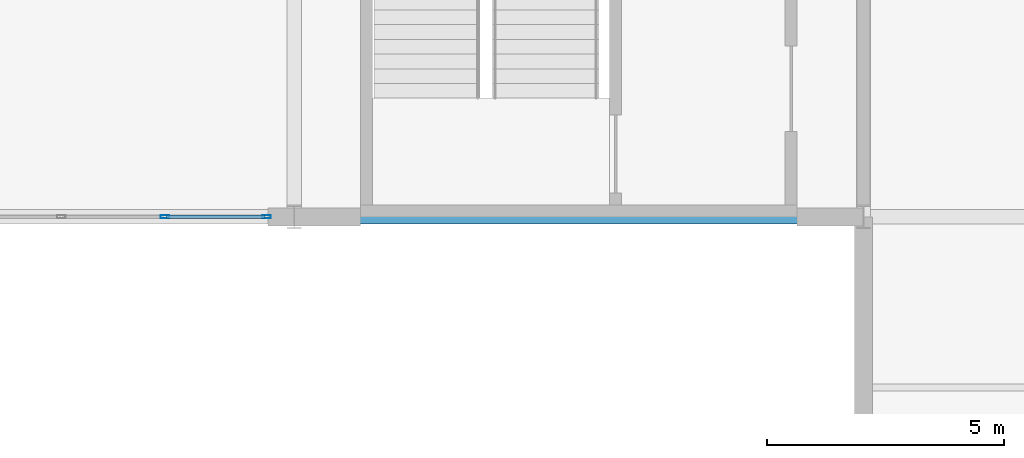
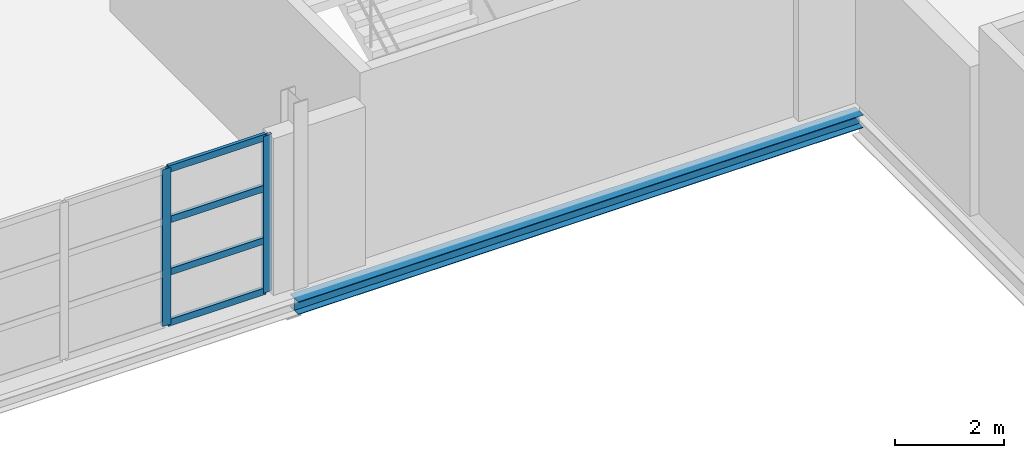
# One storey, part 37 of 158: 6 members, 1 beam, 1 element without a shape of its own.
"""IFC4 building model written with IfcOpenShell, lengths in metres."""

from ifc_helpers import new_model, si_unit, direction, frame, origin, origin_2d, place, context, subcontext, project, spatial, hollow_rectangle, i_section, extrude, material, layer, layer_set, material_profile, profile_set, type_object, element, aggregate, save


model = new_model("IFC4")

# Units and contexts
model_context = context("Model", 3, precision=1e-05, world=origin(), true_north=direction((0.0, 1.0)))
body_context = subcontext(model_context, "Body", "Model", "MODEL_VIEW")
ifc_project = project(units=[si_unit("LENGTHUNIT", "METRE"), si_unit("AREAUNIT", "SQUARE_METRE"), si_unit("VOLUMEUNIT", "CUBIC_METRE"), si_unit("PLANEANGLEUNIT", "RADIAN"), si_unit("MASSUNIT", "GRAM", prefix="KILO")], contexts=[model_context])

# Site, building, storey
site_placement = place(None, origin())
site = spatial("IfcSite", under=ifc_project, at=site_placement, CompositionType="ELEMENT")
building_placement = place(site_placement, origin())
building = spatial("IfcBuilding", under=site, at=building_placement, Name="Zilviju Railside Exhibition Hall", CompositionType="ELEMENT")
storey_placement = place(building_placement, frame((0.0, 0.0, 4.199951171875)))
storey = spatial("IfcBuildingStorey", under=building, at=storey_placement, Name="L02", CompositionType="ELEMENT", Elevation=4.199951171875)

# Beam
ifc_material_1 = material(Name="Steel S355J2", Category="steel")
ifc_material_profile_1 = material_profile(ifc_material_1, i_section(OverallWidth=0.300048828125, OverallDepth=0.2900390625, WebThickness=0.008544921875, FlangeThickness=0.013916015625, at=origin_2d()), Name="HEA 300")
ifc_profile_set_1 = profile_set([ifc_material_profile_1], Name="Steel S355J2")
beam_type = type_object("IfcBeamType", Name="BM-HEA300", PredefinedType="SPANDREL", material=ifc_profile_set_1)
beam_placement = place(storey_placement, frame((36.0, 36.0, -0.5048828125), z_axis=(1.0, 0.0, 0.0), x_axis=(0.0, 1.0, 0.0)))
element("IfcBeam", 1, at=beam_placement, inside=storey, type_object=beam_type, Name="Primary Girder L02 Y=36.0 (36.0..48.0)", PredefinedType="SPANDREL", context=body_context, shape_type="SweptSolid", body=[
    extrude(i_section(OverallWidth=0.300048828125, OverallDepth=0.2900390625, WebThickness=0.008544921875, FlangeThickness=0.013916015625, at=origin_2d()), origin(), (0.0, 0.0, 1.0), 12.0),
])

# Curtain wall, members
ifc_material_2 = material(Name="Thermally broken aluminium-steel triple-glazed curtain wall", Category="steel")
ifc_layer = layer(ifc_material_2, 0.179931640625)
ifc_layer_set = layer_set([ifc_layer], Name="Thermally broken aluminium-steel triple-glazed curtain wall")
curtain_wall_type = type_object("IfcCurtainWallType", Name="CW-BAY-17", PredefinedType="USERDEFINED", material=ifc_layer_set)
curtain_wall_placement = place(storey_placement, origin())
curtain_wall = element("IfcCurtainWall", 2, at=curtain_wall_placement, inside=storey, type_object=curtain_wall_type, Name="Congress Forecourt Curtain Wall L02 (24..36)", ObjectType="GLAZED CURTAIN WALL", PredefinedType="USERDEFINED")
ifc_material_3 = material(Name="Thermally broken anodized aluminium mullion", Category="aluminium")
ifc_material_profile_2 = material_profile(ifc_material_3, hollow_rectangle(XDim=0.070068359375, YDim=0.179931640625, WallThickness=0.0048828125, at=origin_2d()), Name="MULLION 180x70x5")
ifc_profile_set_2 = profile_set([ifc_material_profile_2], Name="Thermally broken anodized aluminium mullion")
member_type_1 = type_object("IfcMemberType", Name="CWM-70x180", PredefinedType="MULLION", material=ifc_profile_set_2)
member_1_placement = place(storey_placement, frame((35.4150390625, 36.0, 0.0), z_axis=(0.0, 0.0, 1.0), x_axis=(0.0, -1.0, 0.0)))
member_1 = element("IfcMember", 3, at=member_1_placement, type_object=member_type_1, Name="CW-17 mullion 1", PredefinedType="MULLION", context=body_context, shape_type="SweptSolid", body=[
    extrude(hollow_rectangle(XDim=0.070068359375, YDim=0.179931640625, WallThickness=0.0048828125, at=origin_2d()), origin(), (0.0, 0.0, 1.0), 3.52001953125),
])
member_2_placement = place(storey_placement, frame((33.27001953125, 36.0, 0.0), z_axis=(0.0, 0.0, 1.0), x_axis=(0.0, -1.0, 0.0)))
member_2 = element("IfcMember", 4, at=member_2_placement, type_object=member_type_1, Name="CW-17 mullion 2", PredefinedType="MULLION", context=body_context, shape_type="SweptSolid", body=[
    extrude(hollow_rectangle(XDim=0.070068359375, YDim=0.179931640625, WallThickness=0.0048828125, at=origin_2d()), origin(), (0.0, 0.0, 1.0), 3.52001953125),
])
ifc_material_4 = material(Name="Thermally broken anodized aluminium transom", Category="aluminium")
ifc_material_profile_3 = material_profile(ifc_material_4, hollow_rectangle(XDim=0.070068359375, YDim=0.14990234375, WallThickness=0.0048828125, at=origin_2d()), Name="TRANSOM 150x70x5")
ifc_profile_set_3 = profile_set([ifc_material_profile_3], Name="Thermally broken anodized aluminium transom")
member_type_2 = type_object("IfcMemberType", Name="CWT-70x150", PredefinedType="USERDEFINED", material=ifc_profile_set_3)
member_3_placement = place(storey_placement, frame((35.3798828125, 36.0, 0.03515625), z_axis=(-1.0, 0.0, 0.0), x_axis=(0.0, -1.0, 0.0)))
member_3 = element("IfcMember", 5, at=member_3_placement, type_object=member_type_2, Name="CW-17 transom 1.1", ObjectType="TRANSOM", PredefinedType="USERDEFINED", context=body_context, shape_type="SweptSolid", body=[
    extrude(hollow_rectangle(XDim=0.070068359375, YDim=0.14990234375, WallThickness=0.0048828125, at=origin_2d()), origin(), (0.0, 0.0, 1.0), 2.074951171875),
])
member_4_placement = place(storey_placement, frame((35.3798828125, 36.0, 1.173095703125), z_axis=(-1.0, 0.0, 0.0), x_axis=(0.0, -1.0, 0.0)))
member_4 = element("IfcMember", 6, at=member_4_placement, type_object=member_type_2, Name="CW-17 transom 1.2", ObjectType="TRANSOM", PredefinedType="USERDEFINED", context=body_context, shape_type="SweptSolid", body=[
    extrude(hollow_rectangle(XDim=0.070068359375, YDim=0.14990234375, WallThickness=0.0048828125, at=origin_2d()), origin(), (0.0, 0.0, 1.0), 2.074951171875),
])
member_5_placement = place(storey_placement, frame((35.3798828125, 36.0, 2.34716796875), z_axis=(-1.0, 0.0, 0.0), x_axis=(0.0, -1.0, 0.0)))
member_5 = element("IfcMember", 7, at=member_5_placement, type_object=member_type_2, Name="CW-17 transom 1.3", ObjectType="TRANSOM", PredefinedType="USERDEFINED", context=body_context, shape_type="SweptSolid", body=[
    extrude(hollow_rectangle(XDim=0.070068359375, YDim=0.14990234375, WallThickness=0.0048828125, at=origin_2d()), origin(), (0.0, 0.0, 1.0), 2.074951171875),
])
member_6_placement = place(storey_placement, frame((35.3798828125, 36.0, 3.485107421875), z_axis=(-1.0, 0.0, 0.0), x_axis=(0.0, -1.0, 0.0)))
member_6 = element("IfcMember", 8, at=member_6_placement, type_object=member_type_2, Name="CW-17 transom 1.4", ObjectType="TRANSOM", PredefinedType="USERDEFINED", context=body_context, shape_type="SweptSolid", body=[
    extrude(hollow_rectangle(XDim=0.070068359375, YDim=0.14990234375, WallThickness=0.0048828125, at=origin_2d()), origin(), (0.0, 0.0, 1.0), 2.074951171875),
])
aggregate(curtain_wall, [member_1, member_2, member_3, member_4, member_5, member_6])

save(model, "model.ifc")
